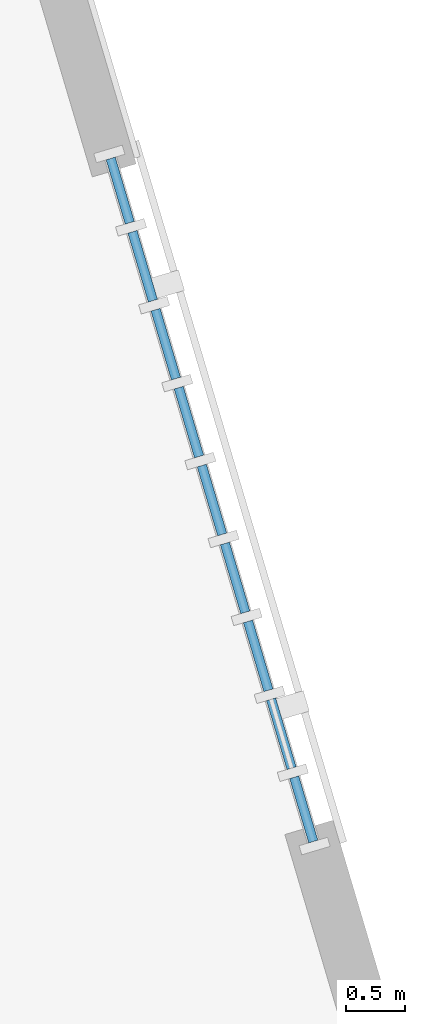
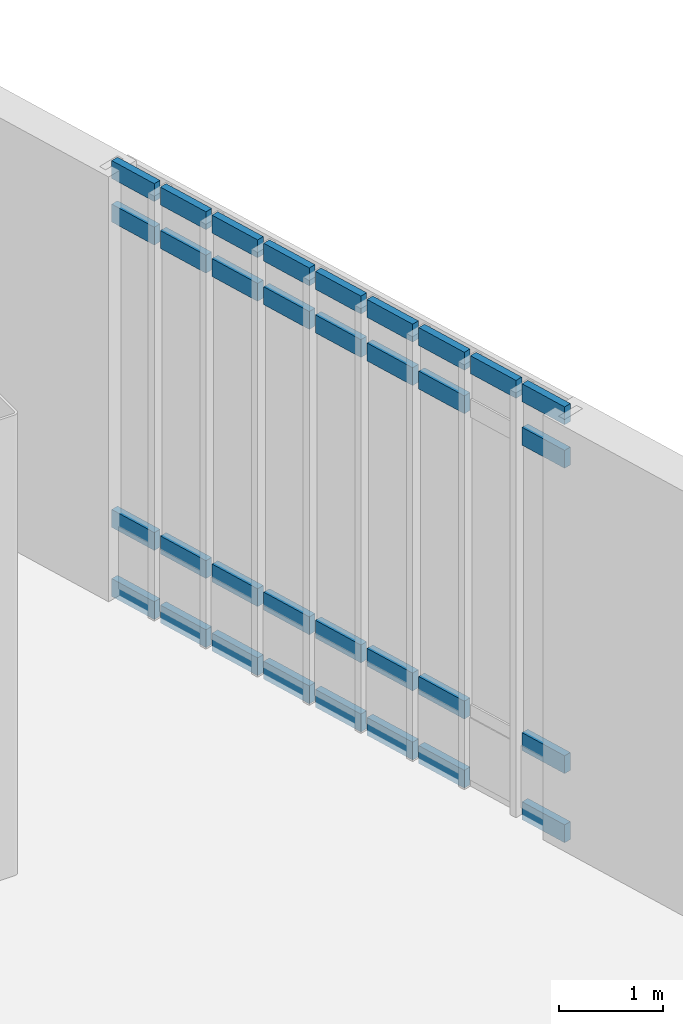
# One storey, part 50 of 111: 33 members, 1 element without a shape of its own.
"""IFC4 building model written with IfcOpenShell, lengths in metres."""

from ifc_helpers import new_model, si_unit, direction, frame, origin, origin_2d, place, context, subcontext, project, spatial, rectangle, extrude, material, material_profile, profile_set, type_object, element, aggregate, save


model = new_model("IFC4")

# Units and contexts
model_context = context("Model", 3, precision=1e-05, world=origin(), true_north=direction((0.0, 1.0)))
body_context = subcontext(model_context, "Body", "Model", "MODEL_VIEW")
ifc_project = project(units=[si_unit("LENGTHUNIT", "METRE"), si_unit("AREAUNIT", "SQUARE_METRE"), si_unit("VOLUMEUNIT", "CUBIC_METRE"), si_unit("PLANEANGLEUNIT", "RADIAN"), si_unit("MASSUNIT", "GRAM", prefix="KILO")], contexts=[model_context])

# Site, building, storey
site_placement = place(None, origin())
site = spatial("IfcSite", under=ifc_project, at=site_placement, CompositionType="ELEMENT")
building_placement = place(site_placement, origin())
building = spatial("IfcBuilding", under=site, at=building_placement, Name="Larkvane Passage Sports Hall", CompositionType="ELEMENT")
storey_placement = place(building_placement, origin())
storey = spatial("IfcBuildingStorey", under=building, at=storey_placement, Name="L00", CompositionType="ELEMENT", Elevation=0.0)

# Curtain wall, members
ifc_material_1 = material(Name="Thermally broken aluminium and low-E glazing", Category="aluminium")
curtain_wall_type = type_object("IfcCurtainWallType", Name="CW-STICK-FOYER", PredefinedType="USERDEFINED", material=ifc_material_1)
curtain_wall_placement = place(storey_placement, origin())
curtain_wall = element("IfcCurtainWall", 1, at=curtain_wall_placement, inside=storey, type_object=curtain_wall_type, Name="Curtain wall CW5-L00-022", ObjectType="STICK CURTAIN WALL", PredefinedType="USERDEFINED")
ifc_material_2 = material(Name="Anodised aluminium 6063-T6", Category="aluminium")
ifc_material_profile = material_profile(ifc_material_2, rectangle(XDim=0.080078125, YDim=0.2099609375, at=origin_2d()), Name="ALU-TRN-80x210")
ifc_profile_set = profile_set([ifc_material_profile], Name="Anodised aluminium 6063-T6")
member_type = type_object("IfcMemberType", Name="CW-TRN-80x210", PredefinedType="USERDEFINED", material=ifc_profile_set)
member_1_placement = place(storey_placement, frame((149.122802734375, 87.3232421875, 0.0400390625), z_axis=(0.284088329691, -0.958798112708, 0.0), x_axis=(0.958798112708, 0.284088329691, 0.0)))
member_1 = element("IfcMember", 2, at=member_1_placement, type_object=member_type, Name="CW-03 transom 1.1", ObjectType="TRANSOM", PredefinedType="USERDEFINED", context=body_context, shape_type="SweptSolid", body=[
    extrude(rectangle(XDim=0.080078125, YDim=0.2099609375, at=origin_2d()), origin(), (0.0, 0.0, 1.0), 0.563720703125),
])
member_2_placement = place(storey_placement, frame((149.122802734375, 87.3232421875, 0.85009765625), z_axis=(0.284088329691, -0.958798112708, 0.0), x_axis=(0.958798112708, 0.284088329691, 0.0)))
member_2 = element("IfcMember", 3, at=member_2_placement, type_object=member_type, Name="CW-03 transom 1.2", ObjectType="TRANSOM", PredefinedType="USERDEFINED", context=body_context, shape_type="SweptSolid", body=[
    extrude(rectangle(XDim=0.080078125, YDim=0.2099609375, at=origin_2d()), origin(), (0.0, 0.0, 1.0), 0.563720703125),
])
member_3_placement = place(storey_placement, frame((149.122802734375, 87.3232421875, 4.429931640625), z_axis=(0.284088329691, -0.958798112708, 0.0), x_axis=(0.958798112708, 0.284088329691, 0.0)))
member_3 = element("IfcMember", 4, at=member_3_placement, type_object=member_type, Name="CW-03 transom 1.3", ObjectType="TRANSOM", PredefinedType="USERDEFINED", context=body_context, shape_type="SweptSolid", body=[
    extrude(rectangle(XDim=0.080078125, YDim=0.2099609375, at=origin_2d()), origin(), (0.0, 0.0, 1.0), 0.563720703125),
])
member_4_placement = place(storey_placement, frame((149.122802734375, 87.3232421875, 4.93994140625), z_axis=(0.284088329691, -0.958798112708, 0.0), x_axis=(0.958798112708, 0.284088329691, 0.0)))
member_4 = element("IfcMember", 5, at=member_4_placement, type_object=member_type, Name="CW-03 transom 1.4", ObjectType="TRANSOM", PredefinedType="USERDEFINED", context=body_context, shape_type="SweptSolid", body=[
    extrude(rectangle(XDim=0.080078125, YDim=0.2099609375, at=origin_2d()), origin(), (0.0, 0.0, 1.0), 0.563720703125),
])
member_5_placement = place(storey_placement, frame((149.305908203125, 86.7060546875, 0.0400390625), z_axis=(0.284267305159, -0.958745064768, 0.0), x_axis=(0.958745064768, 0.284267305159, 0.0)))
member_5 = element("IfcMember", 6, at=member_5_placement, type_object=member_type, Name="CW-03 transom 2.1", ObjectType="TRANSOM", PredefinedType="USERDEFINED", context=body_context, shape_type="SweptSolid", body=[
    extrude(rectangle(XDim=0.080078125, YDim=0.2099609375, at=origin_2d()), origin(), (0.0, 0.0, 1.0), 0.603759765625),
])
member_6_placement = place(storey_placement, frame((149.305908203125, 86.7060546875, 0.85009765625), z_axis=(0.284267305159, -0.958745064768, 0.0), x_axis=(0.958745064768, 0.284267305159, 0.0)))
member_6 = element("IfcMember", 7, at=member_6_placement, type_object=member_type, Name="CW-03 transom 2.2", ObjectType="TRANSOM", PredefinedType="USERDEFINED", context=body_context, shape_type="SweptSolid", body=[
    extrude(rectangle(XDim=0.080078125, YDim=0.2099609375, at=origin_2d()), origin(), (0.0, 0.0, 1.0), 0.603759765625),
])
member_7_placement = place(storey_placement, frame((149.305908203125, 86.7060546875, 4.429931640625), z_axis=(0.284267305159, -0.958745064768, 0.0), x_axis=(0.958745064768, 0.284267305159, 0.0)))
member_7 = element("IfcMember", 8, at=member_7_placement, type_object=member_type, Name="CW-03 transom 2.3", ObjectType="TRANSOM", PredefinedType="USERDEFINED", context=body_context, shape_type="SweptSolid", body=[
    extrude(rectangle(XDim=0.080078125, YDim=0.2099609375, at=origin_2d()), origin(), (0.0, 0.0, 1.0), 0.603759765625),
])
member_8_placement = place(storey_placement, frame((149.305908203125, 86.7060546875, 4.93994140625), z_axis=(0.284267305159, -0.958745064768, 0.0), x_axis=(0.958745064768, 0.284267305159, 0.0)))
member_8 = element("IfcMember", 9, at=member_8_placement, type_object=member_type, Name="CW-03 transom 2.4", ObjectType="TRANSOM", PredefinedType="USERDEFINED", context=body_context, shape_type="SweptSolid", body=[
    extrude(rectangle(XDim=0.080078125, YDim=0.2099609375, at=origin_2d()), origin(), (0.0, 0.0, 1.0), 0.603759765625),
])
member_9_placement = place(storey_placement, frame((149.500244140625, 86.050537109375, 0.0400390625), z_axis=(0.284267305159, -0.958745064768, 0.0), x_axis=(0.958745064768, 0.284267305159, 0.0)))
member_9 = element("IfcMember", 10, at=member_9_placement, type_object=member_type, Name="CW-03 transom 3.1", ObjectType="TRANSOM", PredefinedType="USERDEFINED", context=body_context, shape_type="SweptSolid", body=[
    extrude(rectangle(XDim=0.080078125, YDim=0.2099609375, at=origin_2d()), origin(), (0.0, 0.0, 1.0), 0.603759765625),
])
member_10_placement = place(storey_placement, frame((149.500244140625, 86.050537109375, 0.85009765625), z_axis=(0.284267305159, -0.958745064768, 0.0), x_axis=(0.958745064768, 0.284267305159, 0.0)))
member_10 = element("IfcMember", 11, at=member_10_placement, type_object=member_type, Name="CW-03 transom 3.2", ObjectType="TRANSOM", PredefinedType="USERDEFINED", context=body_context, shape_type="SweptSolid", body=[
    extrude(rectangle(XDim=0.080078125, YDim=0.2099609375, at=origin_2d()), origin(), (0.0, 0.0, 1.0), 0.603759765625),
])
member_11_placement = place(storey_placement, frame((149.500244140625, 86.050537109375, 4.429931640625), z_axis=(0.284267305159, -0.958745064768, 0.0), x_axis=(0.958745064768, 0.284267305159, 0.0)))
member_11 = element("IfcMember", 12, at=member_11_placement, type_object=member_type, Name="CW-03 transom 3.3", ObjectType="TRANSOM", PredefinedType="USERDEFINED", context=body_context, shape_type="SweptSolid", body=[
    extrude(rectangle(XDim=0.080078125, YDim=0.2099609375, at=origin_2d()), origin(), (0.0, 0.0, 1.0), 0.603759765625),
])
member_12_placement = place(storey_placement, frame((149.500244140625, 86.050537109375, 4.93994140625), z_axis=(0.284267305159, -0.958745064768, 0.0), x_axis=(0.958745064768, 0.284267305159, 0.0)))
member_12 = element("IfcMember", 13, at=member_12_placement, type_object=member_type, Name="CW-03 transom 3.4", ObjectType="TRANSOM", PredefinedType="USERDEFINED", context=body_context, shape_type="SweptSolid", body=[
    extrude(rectangle(XDim=0.080078125, YDim=0.2099609375, at=origin_2d()), origin(), (0.0, 0.0, 1.0), 0.603759765625),
])
member_13_placement = place(storey_placement, frame((149.69482421875, 85.39501953125, 0.0400390625), z_axis=(0.284267305159, -0.958745064768, 0.0), x_axis=(0.958745064768, 0.284267305159, 0.0)))
member_13 = element("IfcMember", 14, at=member_13_placement, type_object=member_type, Name="CW-03 transom 4.1", ObjectType="TRANSOM", PredefinedType="USERDEFINED", context=body_context, shape_type="SweptSolid", body=[
    extrude(rectangle(XDim=0.080078125, YDim=0.2099609375, at=origin_2d()), origin(), (0.0, 0.0, 1.0), 0.603759765625),
])
member_14_placement = place(storey_placement, frame((149.69482421875, 85.39501953125, 0.85009765625), z_axis=(0.284267305159, -0.958745064768, 0.0), x_axis=(0.958745064768, 0.284267305159, 0.0)))
member_14 = element("IfcMember", 15, at=member_14_placement, type_object=member_type, Name="CW-03 transom 4.2", ObjectType="TRANSOM", PredefinedType="USERDEFINED", context=body_context, shape_type="SweptSolid", body=[
    extrude(rectangle(XDim=0.080078125, YDim=0.2099609375, at=origin_2d()), origin(), (0.0, 0.0, 1.0), 0.603759765625),
])
member_15_placement = place(storey_placement, frame((149.69482421875, 85.39501953125, 4.429931640625), z_axis=(0.284267305159, -0.958745064768, 0.0), x_axis=(0.958745064768, 0.284267305159, 0.0)))
member_15 = element("IfcMember", 16, at=member_15_placement, type_object=member_type, Name="CW-03 transom 4.3", ObjectType="TRANSOM", PredefinedType="USERDEFINED", context=body_context, shape_type="SweptSolid", body=[
    extrude(rectangle(XDim=0.080078125, YDim=0.2099609375, at=origin_2d()), origin(), (0.0, 0.0, 1.0), 0.603759765625),
])
member_16_placement = place(storey_placement, frame((149.69482421875, 85.39501953125, 4.93994140625), z_axis=(0.284267305159, -0.958745064768, 0.0), x_axis=(0.958745064768, 0.284267305159, 0.0)))
member_16 = element("IfcMember", 17, at=member_16_placement, type_object=member_type, Name="CW-03 transom 4.4", ObjectType="TRANSOM", PredefinedType="USERDEFINED", context=body_context, shape_type="SweptSolid", body=[
    extrude(rectangle(XDim=0.080078125, YDim=0.2099609375, at=origin_2d()), origin(), (0.0, 0.0, 1.0), 0.603759765625),
])
member_17_placement = place(storey_placement, frame((149.88916015625, 84.739501953125, 0.0400390625), z_axis=(0.284267305159, -0.958745064768, 0.0), x_axis=(0.958745064768, 0.284267305159, 0.0)))
member_17 = element("IfcMember", 18, at=member_17_placement, type_object=member_type, Name="CW-03 transom 5.1", ObjectType="TRANSOM", PredefinedType="USERDEFINED", context=body_context, shape_type="SweptSolid", body=[
    extrude(rectangle(XDim=0.080078125, YDim=0.2099609375, at=origin_2d()), origin(), (0.0, 0.0, 1.0), 0.603759765625),
])
member_18_placement = place(storey_placement, frame((149.88916015625, 84.739501953125, 0.85009765625), z_axis=(0.284267305159, -0.958745064768, 0.0), x_axis=(0.958745064768, 0.284267305159, 0.0)))
member_18 = element("IfcMember", 19, at=member_18_placement, type_object=member_type, Name="CW-03 transom 5.2", ObjectType="TRANSOM", PredefinedType="USERDEFINED", context=body_context, shape_type="SweptSolid", body=[
    extrude(rectangle(XDim=0.080078125, YDim=0.2099609375, at=origin_2d()), origin(), (0.0, 0.0, 1.0), 0.603759765625),
])
member_19_placement = place(storey_placement, frame((149.88916015625, 84.739501953125, 4.429931640625), z_axis=(0.284267305159, -0.958745064768, 0.0), x_axis=(0.958745064768, 0.284267305159, 0.0)))
member_19 = element("IfcMember", 20, at=member_19_placement, type_object=member_type, Name="CW-03 transom 5.3", ObjectType="TRANSOM", PredefinedType="USERDEFINED", context=body_context, shape_type="SweptSolid", body=[
    extrude(rectangle(XDim=0.080078125, YDim=0.2099609375, at=origin_2d()), origin(), (0.0, 0.0, 1.0), 0.603759765625),
])
member_20_placement = place(storey_placement, frame((149.88916015625, 84.739501953125, 4.93994140625), z_axis=(0.284267305159, -0.958745064768, 0.0), x_axis=(0.958745064768, 0.284267305159, 0.0)))
member_20 = element("IfcMember", 21, at=member_20_placement, type_object=member_type, Name="CW-03 transom 5.4", ObjectType="TRANSOM", PredefinedType="USERDEFINED", context=body_context, shape_type="SweptSolid", body=[
    extrude(rectangle(XDim=0.080078125, YDim=0.2099609375, at=origin_2d()), origin(), (0.0, 0.0, 1.0), 0.603759765625),
])
member_21_placement = place(storey_placement, frame((150.08349609375, 84.083984375, 0.0400390625), z_axis=(0.284638928481, -0.958634800324, 0.0), x_axis=(0.958634800324, 0.284638928481, 0.0)))
member_21 = element("IfcMember", 22, at=member_21_placement, type_object=member_type, Name="CW-03 transom 6.1", ObjectType="TRANSOM", PredefinedType="USERDEFINED", context=body_context, shape_type="SweptSolid", body=[
    extrude(rectangle(XDim=0.080078125, YDim=0.2099609375, at=origin_2d()), origin(), (0.0, 0.0, 1.0), 0.603759765625),
])
member_22_placement = place(storey_placement, frame((150.08349609375, 84.083984375, 0.85009765625), z_axis=(0.284638928481, -0.958634800324, 0.0), x_axis=(0.958634800324, 0.284638928481, 0.0)))
member_22 = element("IfcMember", 23, at=member_22_placement, type_object=member_type, Name="CW-03 transom 6.2", ObjectType="TRANSOM", PredefinedType="USERDEFINED", context=body_context, shape_type="SweptSolid", body=[
    extrude(rectangle(XDim=0.080078125, YDim=0.2099609375, at=origin_2d()), origin(), (0.0, 0.0, 1.0), 0.603759765625),
])
member_23_placement = place(storey_placement, frame((150.08349609375, 84.083984375, 4.429931640625), z_axis=(0.284638928481, -0.958634800324, 0.0), x_axis=(0.958634800324, 0.284638928481, 0.0)))
member_23 = element("IfcMember", 24, at=member_23_placement, type_object=member_type, Name="CW-03 transom 6.3", ObjectType="TRANSOM", PredefinedType="USERDEFINED", context=body_context, shape_type="SweptSolid", body=[
    extrude(rectangle(XDim=0.080078125, YDim=0.2099609375, at=origin_2d()), origin(), (0.0, 0.0, 1.0), 0.603759765625),
])
member_24_placement = place(storey_placement, frame((150.08349609375, 84.083984375, 4.93994140625), z_axis=(0.284638928481, -0.958634800324, 0.0), x_axis=(0.958634800324, 0.284638928481, 0.0)))
member_24 = element("IfcMember", 25, at=member_24_placement, type_object=member_type, Name="CW-03 transom 6.4", ObjectType="TRANSOM", PredefinedType="USERDEFINED", context=body_context, shape_type="SweptSolid", body=[
    extrude(rectangle(XDim=0.080078125, YDim=0.2099609375, at=origin_2d()), origin(), (0.0, 0.0, 1.0), 0.603759765625),
])
member_25_placement = place(storey_placement, frame((150.278076171875, 83.42822265625, 0.0400390625), z_axis=(0.284267305159, -0.958745064768, 0.0), x_axis=(0.958745064768, 0.284267305159, 0.0)))
member_25 = element("IfcMember", 26, at=member_25_placement, type_object=member_type, Name="CW-03 transom 7.1", ObjectType="TRANSOM", PredefinedType="USERDEFINED", context=body_context, shape_type="SweptSolid", body=[
    extrude(rectangle(XDim=0.080078125, YDim=0.2099609375, at=origin_2d()), origin(), (0.0, 0.0, 1.0), 0.603759765625),
])
member_26_placement = place(storey_placement, frame((150.278076171875, 83.42822265625, 0.85009765625), z_axis=(0.284267305159, -0.958745064768, 0.0), x_axis=(0.958745064768, 0.284267305159, 0.0)))
member_26 = element("IfcMember", 27, at=member_26_placement, type_object=member_type, Name="CW-03 transom 7.2", ObjectType="TRANSOM", PredefinedType="USERDEFINED", context=body_context, shape_type="SweptSolid", body=[
    extrude(rectangle(XDim=0.080078125, YDim=0.2099609375, at=origin_2d()), origin(), (0.0, 0.0, 1.0), 0.603759765625),
])
member_27_placement = place(storey_placement, frame((150.278076171875, 83.42822265625, 4.429931640625), z_axis=(0.284267305159, -0.958745064768, 0.0), x_axis=(0.958745064768, 0.284267305159, 0.0)))
member_27 = element("IfcMember", 28, at=member_27_placement, type_object=member_type, Name="CW-03 transom 7.3", ObjectType="TRANSOM", PredefinedType="USERDEFINED", context=body_context, shape_type="SweptSolid", body=[
    extrude(rectangle(XDim=0.080078125, YDim=0.2099609375, at=origin_2d()), origin(), (0.0, 0.0, 1.0), 0.603759765625),
])
member_28_placement = place(storey_placement, frame((150.278076171875, 83.42822265625, 4.93994140625), z_axis=(0.284267305159, -0.958745064768, 0.0), x_axis=(0.958745064768, 0.284267305159, 0.0)))
member_28 = element("IfcMember", 29, at=member_28_placement, type_object=member_type, Name="CW-03 transom 7.4", ObjectType="TRANSOM", PredefinedType="USERDEFINED", context=body_context, shape_type="SweptSolid", body=[
    extrude(rectangle(XDim=0.080078125, YDim=0.2099609375, at=origin_2d()), origin(), (0.0, 0.0, 1.0), 0.603759765625),
])
member_29_placement = place(storey_placement, frame((150.472412109375, 82.772705078125, 4.93994140625), z_axis=(0.284638928481, -0.958634800324, 0.0), x_axis=(0.958634800324, 0.284638928481, 0.0)))
member_29 = element("IfcMember", 30, at=member_29_placement, type_object=member_type, Name="CW-03 transom 8.4", ObjectType="TRANSOM", PredefinedType="USERDEFINED", context=body_context, shape_type="SweptSolid", body=[
    extrude(rectangle(XDim=0.080078125, YDim=0.2099609375, at=origin_2d()), origin(), (0.0, 0.0, 1.0), 0.603759765625),
])
member_30_placement = place(storey_placement, frame((150.6669921875, 82.1171875, 0.0400390625), z_axis=(0.284088329691, -0.958798112708, 0.0), x_axis=(0.958798112708, 0.284088329691, 0.0)))
member_30 = element("IfcMember", 31, at=member_30_placement, type_object=member_type, Name="CW-03 transom 9.1", ObjectType="TRANSOM", PredefinedType="USERDEFINED", context=body_context, shape_type="SweptSolid", body=[
    extrude(rectangle(XDim=0.080078125, YDim=0.2099609375, at=origin_2d()), origin(), (0.0, 0.0, 1.0), 0.563720703125),
])
member_31_placement = place(storey_placement, frame((150.6669921875, 82.1171875, 0.85009765625), z_axis=(0.284088329691, -0.958798112708, 0.0), x_axis=(0.958798112708, 0.284088329691, 0.0)))
member_31 = element("IfcMember", 32, at=member_31_placement, type_object=member_type, Name="CW-03 transom 9.2", ObjectType="TRANSOM", PredefinedType="USERDEFINED", context=body_context, shape_type="SweptSolid", body=[
    extrude(rectangle(XDim=0.080078125, YDim=0.2099609375, at=origin_2d()), origin(), (0.0, 0.0, 1.0), 0.563720703125),
])
member_32_placement = place(storey_placement, frame((150.6669921875, 82.1171875, 4.429931640625), z_axis=(0.284088329691, -0.958798112708, 0.0), x_axis=(0.958798112708, 0.284088329691, 0.0)))
member_32 = element("IfcMember", 33, at=member_32_placement, type_object=member_type, Name="CW-03 transom 9.3", ObjectType="TRANSOM", PredefinedType="USERDEFINED", context=body_context, shape_type="SweptSolid", body=[
    extrude(rectangle(XDim=0.080078125, YDim=0.2099609375, at=origin_2d()), origin(), (0.0, 0.0, 1.0), 0.563720703125),
])
member_33_placement = place(storey_placement, frame((150.6669921875, 82.1171875, 4.93994140625), z_axis=(0.284088329691, -0.958798112708, 0.0), x_axis=(0.958798112708, 0.284088329691, 0.0)))
member_33 = element("IfcMember", 34, at=member_33_placement, type_object=member_type, Name="CW-03 transom 9.4", ObjectType="TRANSOM", PredefinedType="USERDEFINED", context=body_context, shape_type="SweptSolid", body=[
    extrude(rectangle(XDim=0.080078125, YDim=0.2099609375, at=origin_2d()), origin(), (0.0, 0.0, 1.0), 0.563720703125),
])
aggregate(curtain_wall, [member_1, member_2, member_3, member_4, member_5, member_6, member_7, member_8, member_9, member_10, member_11, member_12, member_13, member_14, member_15, member_16, member_17, member_18, member_19, member_20, member_21, member_22, member_23, member_24, member_25, member_26, member_27, member_28, member_29, member_30, member_31, member_32, member_33])

save(model, "model.ifc")
